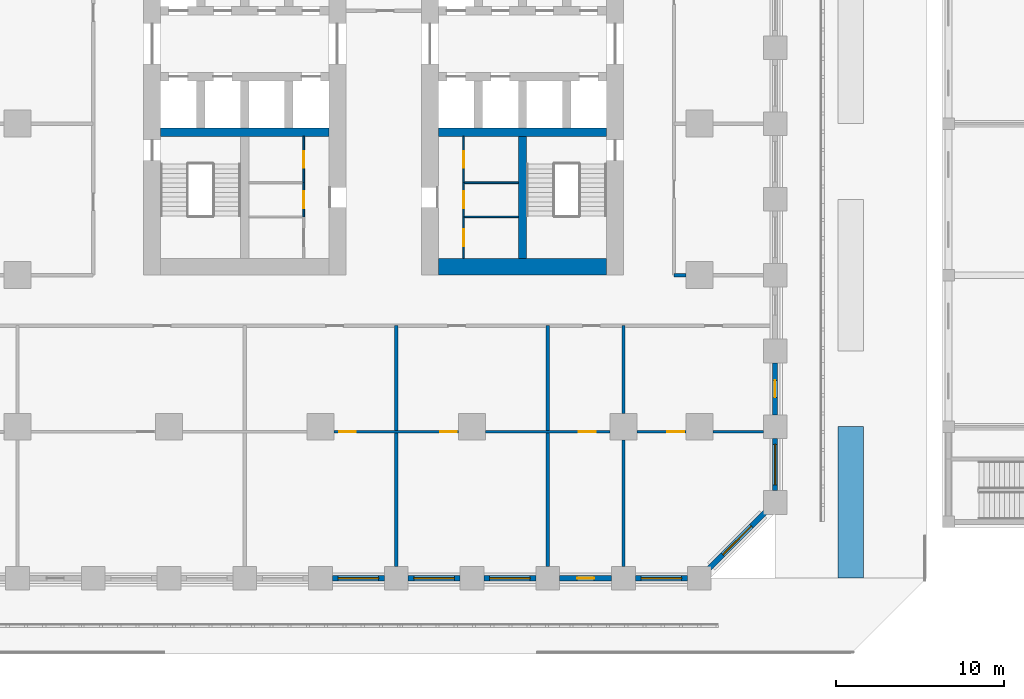
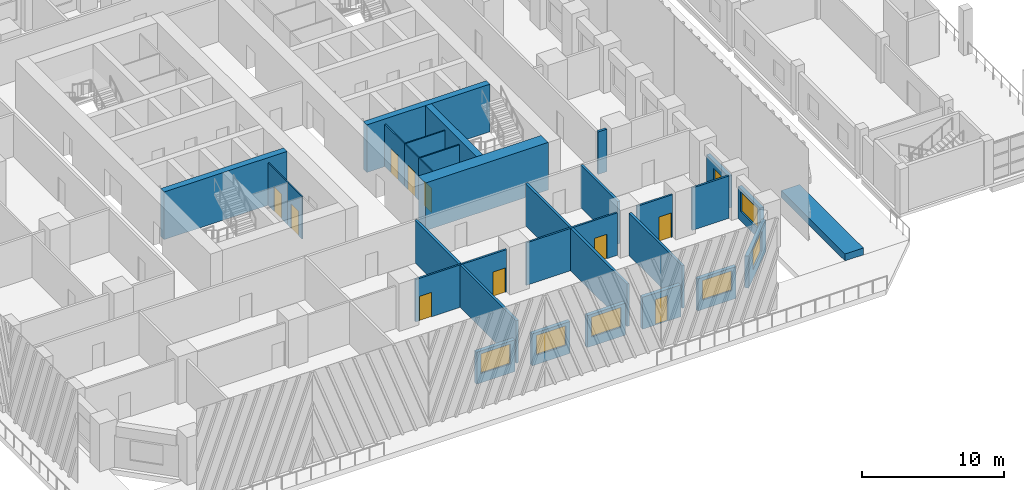
# One storey, part 18 of 36: 29 walls, 11 doors, 6 windows, 17 openings.
"""IFC4 building model written with IfcOpenShell, lengths in metres."""

from ifc_helpers import new_model, si_unit, direction, frame, frame_2d, origin, place, context, subcontext, project, spatial, rectangle, extrude, material, layer, layer_set, type_object, element, fill, save


model = new_model("IFC4")

# Units and contexts
model_context = context("Model", 3, precision=1e-05, world=origin(), true_north=direction((0.0, 1.0)))
body_context = subcontext(model_context, "Body", "Model", "MODEL_VIEW")
ifc_project = project(units=[si_unit("LENGTHUNIT", "METRE"), si_unit("AREAUNIT", "SQUARE_METRE"), si_unit("VOLUMEUNIT", "CUBIC_METRE"), si_unit("PLANEANGLEUNIT", "RADIAN"), si_unit("MASSUNIT", "GRAM", prefix="KILO")], contexts=[model_context])

# Site, building, storey
site_placement = place(None, origin())
site = spatial("IfcSite", under=ifc_project, at=site_placement, CompositionType="ELEMENT")
building_placement = place(site_placement, origin())
building = spatial("IfcBuilding", under=site, at=building_placement, Name="Corbel Stack Research Tower", CompositionType="ELEMENT")
storey_placement = place(building_placement, frame((0.0, 0.0, 7.199951171875)))
storey = spatial("IfcBuildingStorey", under=building, at=storey_placement, Name="L01", CompositionType="ELEMENT", Elevation=7.199951171875)

# Walls
ifc_material_1 = material(Name="Concrete C70/85", Category="concrete")
ifc_layer_1 = layer(ifc_material_1, 1.0)
ifc_layer_set_1 = layer_set([ifc_layer_1], Name="Concrete C70/85")
wall_type_1 = type_object("IfcWallType", Name="CW-1000-70", PredefinedType="SHEAR", material=ifc_layer_set_1)
wall_1_placement = place(storey_placement, frame((7.0, -8.5, 0.0), z_axis=(0.0, 0.0, 1.0), x_axis=(1.0, 0.0, 0.0)))
element("IfcWall", 1, at=wall_1_placement, inside=storey, type_object=wall_type_1, Name="East core wall, south end L01", PredefinedType="SHEAR", context=body_context, shape_type="SweptSolid", body=[
    extrude(rectangle(XDim=10.0, YDim=1.0, at=frame_2d((5.0, 0.0))), origin(), (0.0, 0.0, 1.0), 4.10009765625),
])
ifc_material_2 = material(Name="Concrete C70/85", Category="concrete")
ifc_layer_2 = layer(ifc_material_2, 0.5)
ifc_layer_set_2 = layer_set([ifc_layer_2], Name="Concrete C70/85")
wall_type_2 = type_object("IfcWallType", Name="CW-500-70", PredefinedType="SHEAR", material=ifc_layer_set_2)
for number, where, z_axis, x_axis, name in (
    (2, (-9.5, -0.5, 0.0), (0.0, 0.0, 1.0), (1.0, 0.0, 0.0), "West core wall, south row back L01"),
    (3, (7.0, -0.5, 0.0), (0.0, 0.0, 1.0), (1.0, 0.0, 0.0), "East core wall, south row back L01"),
):
    element("IfcWall", number, at=place(storey_placement, frame(where, z_axis=z_axis, x_axis=x_axis)), inside=storey, type_object=wall_type_2, Name=name, PredefinedType="SHEAR", context=body_context, shape_type="SweptSolid", body=[
        extrude(rectangle(XDim=10.0, YDim=0.5, at=frame_2d((5.0, 0.0))), origin(), (0.0, 0.0, 1.0), 4.10009765625),
    ])
wall_2_placement = place(storey_placement, frame((12.0, -8.0, 0.0), z_axis=(0.0, 0.0, 1.0), x_axis=(0.0, 1.0, 0.0)))
element("IfcWall", 4, at=wall_2_placement, inside=storey, type_object=wall_type_2, Name="East core wall, south stair and WC L01", PredefinedType="SHEAR", context=body_context, shape_type="SweptSolid", body=[
    extrude(rectangle(XDim=7.25, YDim=0.5, at=frame_2d((3.625, 0.0))), origin(), (0.0, 0.0, 1.0), 4.10009765625),
])

# Wall, opening, door
ifc_material_3 = material(Name="Gypsum board")
ifc_layer_3 = layer(ifc_material_3, 0.10009765625)
ifc_layer_set_3 = layer_set([ifc_layer_3], Name="Gypsum board")
wall_type_3 = type_object("IfcWallType", Name="Core partition 100", PredefinedType="PARTITIONING", material=ifc_layer_set_3)
wall_3_placement = place(storey_placement, frame((-1.0, -5.534912109375, 0.0), z_axis=(0.0, 0.0, 1.0), x_axis=(0.0, 1.0, 0.0)))
wall_3 = element("IfcWall", 5, at=wall_3_placement, inside=storey, type_object=wall_type_3, Name="Core partition W", PredefinedType="PARTITIONING", context=body_context, shape_type="SweptSolid", body=[
    extrude(rectangle(XDim=2.030029296875, YDim=0.10009765625, at=frame_2d((1.01513671875, 0.0))), origin(), (0.0, 0.0, 1.0), 3.650146484375),
])
opening_1_placement = place(wall_3_placement, frame((0.514892578125, 0.0, 0.0)))
opening_1 = element("IfcOpeningElement", 6, at=opening_1_placement, cuts=wall_3, Name="Opening CR-W12-W3-1000", PredefinedType="OPENING", context=body_context, shape_type="SweptSolid", body=[
    extrude(rectangle(XDim=1.0, YDim=2.10009765625, at=frame_2d((0.5, 1.050048828125))), frame((0.0, 0.06005859375, 0.0), z_axis=(0.0, -1.0, 0.0), x_axis=(1.0, 0.0, 0.0)), (0.0, 0.0, 1.0), 0.1201171875),
])
ifc_material_4 = material(Name="Painted timber door", Category="wood")
door_type_1 = type_object("IfcDoorType", Name="WC door 1000 x 2100 left hand", OperationType="SINGLE_SWING_LEFT", PredefinedType="DOOR", material=ifc_material_4)
door_1_placement = place(opening_1_placement, origin())
door_1 = element("IfcDoor", 7, at=door_1_placement, inside=storey, type_object=door_type_1, Name="Accessible WC door W core", OperationType="SINGLE_SWING_LEFT", OverallHeight=2.10009765625, OverallWidth=1.0, PredefinedType="DOOR", context=body_context, shape_type="SweptSolid", body=[
    extrude(rectangle(XDim=1.0, YDim=2.10009765625, at=frame_2d((0.5, 1.050048828125))), frame((0.0, 0.02490234375, 0.0), z_axis=(0.0, -1.0, 0.0), x_axis=(1.0, 0.0, 0.0)), (0.0, 0.0, 1.0), 0.050048828125),
])
fill(opening_1, door_1)

wall_4_placement = place(storey_placement, frame((-1.0, -3.5048828125, 0.0), z_axis=(0.0, 0.0, 1.0), x_axis=(0.0, 1.0, 0.0)))
wall_4 = element("IfcWall", 8, at=wall_4_placement, inside=storey, type_object=wall_type_3, Name="Core partition W", PredefinedType="PARTITIONING", context=body_context, shape_type="SweptSolid", body=[
    extrude(rectangle(XDim=2.7548828125, YDim=0.10009765625, at=frame_2d((1.37744140625, 0.0))), origin(), (0.0, 0.0, 1.0), 3.650146484375),
])
opening_2_placement = place(wall_4_placement, frame((0.87744140625, 0.0, 0.0)))
opening_2 = element("IfcOpeningElement", 9, at=opening_2_placement, cuts=wall_4, Name="Opening CR-W12-W4-1000", PredefinedType="OPENING", context=body_context, shape_type="SweptSolid", body=[
    extrude(rectangle(XDim=1.0, YDim=2.10009765625, at=frame_2d((0.5, 1.050048828125))), frame((0.0, 0.06005859375, 0.0), z_axis=(0.0, -1.0, 0.0), x_axis=(1.0, 0.0, 0.0)), (0.0, 0.0, 1.0), 0.1201171875),
])
ifc_material_5 = material(Name="Painted timber door", Category="wood")
door_type_2 = type_object("IfcDoorType", Name="WC door 1000 x 2100 right hand", OperationType="SINGLE_SWING_RIGHT", PredefinedType="DOOR", material=ifc_material_5)
door_2_placement = place(opening_2_placement, origin())
door_2 = element("IfcDoor", 10, at=door_2_placement, inside=storey, type_object=door_type_2, Name="Women's WC door W core", OperationType="SINGLE_SWING_RIGHT", OverallHeight=2.10009765625, OverallWidth=1.0, PredefinedType="DOOR", context=body_context, shape_type="SweptSolid", body=[
    extrude(rectangle(XDim=1.0, YDim=2.10009765625, at=frame_2d((0.5, 1.050048828125))), frame((0.0, 0.02490234375, 0.0), z_axis=(0.0, -1.0, 0.0), x_axis=(1.0, 0.0, 0.0)), (0.0, 0.0, 1.0), 0.050048828125),
])
fill(opening_2, door_2)

wall_5_placement = place(storey_placement, frame((8.5, -8.0, 0.0), z_axis=(0.0, 0.0, 1.0), x_axis=(0.0, 1.0, 0.0)))
wall_5 = element("IfcWall", 11, at=wall_5_placement, inside=storey, type_object=wall_type_3, Name="Core partition E", PredefinedType="PARTITIONING", context=body_context, shape_type="SweptSolid", body=[
    extrude(rectangle(XDim=2.465087890625, YDim=0.10009765625, at=frame_2d((1.232421875, 0.0))), origin(), (0.0, 0.0, 1.0), 3.650146484375),
])
opening_3_placement = place(wall_5_placement, frame((0.732421875, 0.0, 0.0)))
opening_3 = element("IfcOpeningElement", 12, at=opening_3_placement, cuts=wall_5, Name="Opening CR-E12-W2-1000", PredefinedType="OPENING", context=body_context, shape_type="SweptSolid", body=[
    extrude(rectangle(XDim=1.0, YDim=2.10009765625, at=frame_2d((0.5, 1.050048828125))), frame((0.0, 0.06005859375, 0.0), z_axis=(0.0, -1.0, 0.0), x_axis=(1.0, 0.0, 0.0)), (0.0, 0.0, 1.0), 0.1201171875),
])
door_3_placement = place(opening_3_placement, origin())
door_3 = element("IfcDoor", 13, at=door_3_placement, inside=storey, type_object=door_type_1, Name="Men's WC door E core", OperationType="SINGLE_SWING_LEFT", OverallHeight=2.10009765625, OverallWidth=1.0, PredefinedType="DOOR", context=body_context, shape_type="SweptSolid", body=[
    extrude(rectangle(XDim=1.0, YDim=2.10009765625, at=frame_2d((0.5, 1.050048828125))), frame((0.0, 0.02490234375, 0.0), z_axis=(0.0, -1.0, 0.0), x_axis=(1.0, 0.0, 0.0)), (0.0, 0.0, 1.0), 0.050048828125),
])
fill(opening_3, door_3)

wall_6_placement = place(storey_placement, frame((8.5, -5.534912109375, 0.0), z_axis=(0.0, 0.0, 1.0), x_axis=(0.0, 1.0, 0.0)))
wall_6 = element("IfcWall", 14, at=wall_6_placement, inside=storey, type_object=wall_type_3, Name="Core partition E", PredefinedType="PARTITIONING", context=body_context, shape_type="SweptSolid", body=[
    extrude(rectangle(XDim=2.030029296875, YDim=0.10009765625, at=frame_2d((1.01513671875, 0.0))), origin(), (0.0, 0.0, 1.0), 3.650146484375),
])
opening_4_placement = place(wall_6_placement, frame((0.514892578125, 0.0, 0.0)))
opening_4 = element("IfcOpeningElement", 15, at=opening_4_placement, cuts=wall_6, Name="Opening CR-E12-W3-1000", PredefinedType="OPENING", context=body_context, shape_type="SweptSolid", body=[
    extrude(rectangle(XDim=1.0, YDim=2.10009765625, at=frame_2d((0.5, 1.050048828125))), frame((0.0, 0.06005859375, 0.0), z_axis=(0.0, -1.0, 0.0), x_axis=(1.0, 0.0, 0.0)), (0.0, 0.0, 1.0), 0.1201171875),
])
door_4_placement = place(opening_4_placement, origin())
door_4 = element("IfcDoor", 16, at=door_4_placement, inside=storey, type_object=door_type_2, Name="Accessible WC door E core", OperationType="SINGLE_SWING_RIGHT", OverallHeight=2.10009765625, OverallWidth=1.0, PredefinedType="DOOR", context=body_context, shape_type="SweptSolid", body=[
    extrude(rectangle(XDim=1.0, YDim=2.10009765625, at=frame_2d((0.5, 1.050048828125))), frame((0.0, 0.02490234375, 0.0), z_axis=(0.0, -1.0, 0.0), x_axis=(1.0, 0.0, 0.0)), (0.0, 0.0, 1.0), 0.050048828125),
])
fill(opening_4, door_4)

wall_7_placement = place(storey_placement, frame((8.5, -3.5048828125, 0.0), z_axis=(0.0, 0.0, 1.0), x_axis=(0.0, 1.0, 0.0)))
wall_7 = element("IfcWall", 17, at=wall_7_placement, inside=storey, type_object=wall_type_3, Name="Core partition E", PredefinedType="PARTITIONING", context=body_context, shape_type="SweptSolid", body=[
    extrude(rectangle(XDim=2.7548828125, YDim=0.10009765625, at=frame_2d((1.37744140625, 0.0))), origin(), (0.0, 0.0, 1.0), 3.650146484375),
])
opening_5_placement = place(wall_7_placement, frame((0.87744140625, 0.0, 0.0)))
opening_5 = element("IfcOpeningElement", 18, at=opening_5_placement, cuts=wall_7, Name="Opening CR-E12-W4-1000", PredefinedType="OPENING", context=body_context, shape_type="SweptSolid", body=[
    extrude(rectangle(XDim=1.0, YDim=2.10009765625, at=frame_2d((0.5, 1.050048828125))), frame((0.0, 0.06005859375, 0.0), z_axis=(0.0, -1.0, 0.0), x_axis=(1.0, 0.0, 0.0)), (0.0, 0.0, 1.0), 0.1201171875),
])
door_5_placement = place(opening_5_placement, origin())
door_5 = element("IfcDoor", 19, at=door_5_placement, inside=storey, type_object=door_type_1, Name="Women's WC door E core", OperationType="SINGLE_SWING_LEFT", OverallHeight=2.10009765625, OverallWidth=1.0, PredefinedType="DOOR", context=body_context, shape_type="SweptSolid", body=[
    extrude(rectangle(XDim=1.0, YDim=2.10009765625, at=frame_2d((0.5, 1.050048828125))), frame((0.0, 0.02490234375, 0.0), z_axis=(0.0, -1.0, 0.0), x_axis=(1.0, 0.0, 0.0)), (0.0, 0.0, 1.0), 0.050048828125),
])
fill(opening_5, door_5)

# Walls
for number, where, z_axis, x_axis, name in (
    (20, (8.5, -5.534912109375, 0.0), (0.0, 0.0, 1.0), (1.0, 0.0, 0.0), "Core partition E"),
    (21, (8.5, -3.5048828125, 0.0), (0.0, 0.0, 1.0), (1.0, 0.0, 0.0), "Core partition E"),
):
    element("IfcWall", number, at=place(storey_placement, frame(where, z_axis=z_axis, x_axis=x_axis)), inside=storey, type_object=wall_type_3, Name=name, PredefinedType="PARTITIONING", context=body_context, shape_type="SweptSolid", body=[
        extrude(rectangle(XDim=3.25, YDim=0.10009765625, at=frame_2d((1.625, 0.0))), origin(), (0.0, 0.0, 1.0), 3.650146484375),
    ])
ifc_material_6 = material(Name="Fire-rated gypsum board partition on steel studs", Category="steel")
ifc_layer_4 = layer(ifc_material_6, 0.199951171875)
ifc_layer_set_4 = layer_set([ifc_layer_4], Name="Fire-rated gypsum board partition on steel studs")
wall_type_4 = type_object("IfcWallType", Name="Fire-rated partition 200 EI 60", PredefinedType="PARTITIONING", material=ifc_layer_set_4)
for number, where, z_axis, x_axis, name in (
    (22, (4.5, -26.300048828125, 0.0), (0.0, 0.0, 1.0), (0.0, 1.0, 0.0), "Partition L01-008"),
    (23, (13.5, -26.300048828125, 0.0), (0.0, 0.0, 1.0), (0.0, 1.0, 0.0), "Partition L01-010"),
):
    element("IfcWall", number, at=place(storey_placement, frame(where, z_axis=z_axis, x_axis=x_axis)), inside=storey, type_object=wall_type_4, Name=name, PredefinedType="PARTITIONING", context=body_context, shape_type="SweptSolid", body=[
        extrude(rectangle(XDim=14.300048828125, YDim=0.199951171875, at=frame_2d((7.14990234375, 0.0))), origin(), (0.0, 0.0, 1.0), 3.650146484375),
    ])
wall_8_placement = place(storey_placement, frame((18.0, -26.300048828125, 0.0), z_axis=(0.0, 0.0, 1.0), x_axis=(0.0, 1.0, 0.0)))
element("IfcWall", 24, at=wall_8_placement, inside=storey, type_object=wall_type_4, Name="Partition L01-012", PredefinedType="PARTITIONING", context=body_context, shape_type="SweptSolid", body=[
    extrude(rectangle(XDim=7.5, YDim=0.199951171875, at=frame_2d((3.75, 0.0))), origin(), (0.0, 0.0, 1.0), 3.650146484375),
])
wall_9_placement = place(storey_placement, frame((18.0, -17.199951171875, 0.0), z_axis=(0.0, 0.0, 1.0), x_axis=(0.0, 1.0, 0.0)))
element("IfcWall", 25, at=wall_9_placement, inside=storey, type_object=wall_type_4, Name="Partition L01-013", PredefinedType="PARTITIONING", context=body_context, shape_type="SweptSolid", body=[
    extrude(rectangle(XDim=5.199951171875, YDim=0.199951171875, at=frame_2d((2.60009765625, 0.0))), origin(), (0.0, 0.0, 1.0), 3.650146484375),
])
wall_10_placement = place(storey_placement, frame((21.0, -9.0, 0.0), z_axis=(0.0, 0.0, 1.0), x_axis=(1.0, 0.0, 0.0)))
element("IfcWall", 26, at=wall_10_placement, inside=storey, type_object=wall_type_4, Name="Partition L01-026", PredefinedType="PARTITIONING", context=body_context, shape_type="SweptSolid", body=[
    extrude(rectangle(XDim=0.699951171875, YDim=0.199951171875, at=frame_2d((0.35009765625, 0.0))), origin(), (0.0, 0.0, 1.0), 3.650146484375),
])

# Wall, openings, doors
ifc_material_7 = material(Name="Gypsum board partition on steel studs", Category="steel")
ifc_layer_5 = layer(ifc_material_7, 0.14990234375)
ifc_layer_set_5 = layer_set([ifc_layer_5], Name="Gypsum board partition on steel studs")
wall_type_5 = type_object("IfcWallType", Name="Partition 150", PredefinedType="PARTITIONING", material=ifc_layer_set_5)
wall_11_placement = place(storey_placement, frame((8.199951171875, -18.300048828125, 0.0), z_axis=(0.0, 0.0, 1.0), x_axis=(-1.0, 0.0, 0.0)))
wall_11 = element("IfcWall", 27, at=wall_11_placement, inside=storey, type_object=wall_type_5, Name="Partition L01-019", PredefinedType="PARTITIONING", context=body_context, shape_type="SweptSolid", body=[
    extrude(rectangle(XDim=7.39990234375, YDim=0.14990234375, at=frame_2d((3.699951171875, 0.0))), origin(), (0.0, 0.0, 1.0), 3.650146484375),
])
opening_6_placement = place(wall_11_placement, frame((6.10009765625, 0.0, 0.0)))
opening_6 = element("IfcOpeningElement", 28, at=opening_6_placement, cuts=wall_11, Name="Opening B1V0H-006", PredefinedType="OPENING", context=body_context, shape_type="SweptSolid", body=[
    extrude(rectangle(XDim=1.0, YDim=2.10009765625, at=frame_2d((0.5, 1.050048828125))), frame((0.0, 0.0849609375, 0.0), z_axis=(0.0, -1.0, 0.0), x_axis=(1.0, 0.0, 0.0)), (0.0, 0.0, 1.0), 0.169921875),
])
opening_7_placement = place(wall_11_placement, frame((0.10009765625, 0.0, 0.0)))
opening_7 = element("IfcOpeningElement", 29, at=opening_7_placement, cuts=wall_11, Name="Opening B1V0H-007", PredefinedType="OPENING", context=body_context, shape_type="SweptSolid", body=[
    extrude(rectangle(XDim=1.0, YDim=2.10009765625, at=frame_2d((0.5, 1.050048828125))), frame((0.0, 0.0849609375, 0.0), z_axis=(0.0, -1.0, 0.0), x_axis=(1.0, 0.0, 0.0)), (0.0, 0.0, 1.0), 0.169921875),
])
ifc_material_8 = material(Name="Painted timber door", Category="wood")
door_type_3 = type_object("IfcDoorType", Name="Single door 1000 x 2100", OperationType="NOTDEFINED", PredefinedType="DOOR", material=ifc_material_8)
door_6_placement = place(opening_6_placement, origin())
door_6 = element("IfcDoor", 30, at=door_6_placement, inside=storey, type_object=door_type_3, Name="Door B1V0H-006", OperationType="SINGLE_SWING_RIGHT", OverallHeight=2.10009765625, OverallWidth=1.0, PredefinedType="DOOR", context=body_context, shape_type="SweptSolid", body=[
    extrude(rectangle(XDim=1.0, YDim=2.10009765625, at=frame_2d((0.5, 1.050048828125))), frame((0.0, 0.02490234375, 0.0), z_axis=(0.0, -1.0, 0.0), x_axis=(1.0, 0.0, 0.0)), (0.0, 0.0, 1.0), 0.050048828125),
])
fill(opening_6, door_6)
door_7_placement = place(opening_7_placement, origin())
door_7 = element("IfcDoor", 31, at=door_7_placement, inside=storey, type_object=door_type_3, Name="Door B1V0H-007", OperationType="SINGLE_SWING_LEFT", OverallHeight=2.10009765625, OverallWidth=1.0, PredefinedType="DOOR", context=body_context, shape_type="SweptSolid", body=[
    extrude(rectangle(XDim=1.0, YDim=2.10009765625, at=frame_2d((0.5, 1.050048828125))), frame((0.0, 0.02490234375, 0.0), z_axis=(0.0, -1.0, 0.0), x_axis=(1.0, 0.0, 0.0)), (0.0, 0.0, 1.0), 0.050048828125),
])
fill(opening_7, door_7)

# Wall, opening, door
wall_12_placement = place(storey_placement, frame((17.199951171875, -18.300048828125, 0.0), z_axis=(0.0, 0.0, 1.0), x_axis=(-1.0, 0.0, 0.0)))
wall_12 = element("IfcWall", 32, at=wall_12_placement, inside=storey, type_object=wall_type_5, Name="Partition L01-020", PredefinedType="PARTITIONING", context=body_context, shape_type="SweptSolid", body=[
    extrude(rectangle(XDim=7.39990234375, YDim=0.14990234375, at=frame_2d((3.699951171875, 0.0))), origin(), (0.0, 0.0, 1.0), 3.650146484375),
])
opening_8_placement = place(wall_12_placement, frame((0.85009765625, 0.0, 0.0)))
opening_8 = element("IfcOpeningElement", 33, at=opening_8_placement, cuts=wall_12, Name="Opening B1V0H-008", PredefinedType="OPENING", context=body_context, shape_type="SweptSolid", body=[
    extrude(rectangle(XDim=1.0, YDim=2.10009765625, at=frame_2d((0.5, 1.050048828125))), frame((0.0, 0.0849609375, 0.0), z_axis=(0.0, -1.0, 0.0), x_axis=(1.0, 0.0, 0.0)), (0.0, 0.0, 1.0), 0.169921875),
])
door_8_placement = place(opening_8_placement, origin())
door_8 = element("IfcDoor", 34, at=door_8_placement, inside=storey, type_object=door_type_3, Name="Door B1V0H-008", OperationType="SINGLE_SWING_LEFT", OverallHeight=2.10009765625, OverallWidth=1.0, PredefinedType="DOOR", context=body_context, shape_type="SweptSolid", body=[
    extrude(rectangle(XDim=1.0, YDim=2.10009765625, at=frame_2d((0.5, 1.050048828125))), frame((0.0, 0.02490234375, 0.0), z_axis=(0.0, -1.0, 0.0), x_axis=(1.0, 0.0, 0.0)), (0.0, 0.0, 1.0), 0.050048828125),
])
fill(opening_8, door_8)

wall_13_placement = place(storey_placement, frame((21.699951171875, -18.300048828125, 0.0), z_axis=(0.0, 0.0, 1.0), x_axis=(-1.0, 0.0, 0.0)))
wall_13 = element("IfcWall", 35, at=wall_13_placement, inside=storey, type_object=wall_type_5, Name="Partition L01-021", PredefinedType="PARTITIONING", context=body_context, shape_type="SweptSolid", body=[
    extrude(rectangle(XDim=2.89990234375, YDim=0.14990234375, at=frame_2d((1.449951171875, 0.0))), origin(), (0.0, 0.0, 1.0), 3.650146484375),
])
opening_9_placement = place(wall_13_placement, frame((0.10009765625, 0.0, 0.0)))
opening_9 = element("IfcOpeningElement", 36, at=opening_9_placement, cuts=wall_13, Name="Opening B1V0H-009", PredefinedType="OPENING", context=body_context, shape_type="SweptSolid", body=[
    extrude(rectangle(XDim=1.0, YDim=2.10009765625, at=frame_2d((0.5, 1.050048828125))), frame((0.0, 0.0849609375, 0.0), z_axis=(0.0, -1.0, 0.0), x_axis=(1.0, 0.0, 0.0)), (0.0, 0.0, 1.0), 0.169921875),
])
door_9_placement = place(opening_9_placement, origin())
door_9 = element("IfcDoor", 37, at=door_9_placement, inside=storey, type_object=door_type_3, Name="Door B1V0H-009", OperationType="SINGLE_SWING_LEFT", OverallHeight=2.10009765625, OverallWidth=1.0, PredefinedType="DOOR", context=body_context, shape_type="SweptSolid", body=[
    extrude(rectangle(XDim=1.0, YDim=2.10009765625, at=frame_2d((0.5, 1.050048828125))), frame((0.0, 0.02490234375, 0.0), z_axis=(0.0, -1.0, 0.0), x_axis=(1.0, 0.0, 0.0)), (0.0, 0.0, 1.0), 0.050048828125),
])
fill(opening_9, door_9)

# Walls
wall_14_placement = place(storey_placement, frame((23.300048828125, -18.300048828125, 0.0), z_axis=(0.0, 0.0, 1.0), x_axis=(1.0, 0.0, 0.0)))
element("IfcWall", 38, at=wall_14_placement, inside=storey, type_object=wall_type_5, Name="Partition L01-022", PredefinedType="PARTITIONING", context=body_context, shape_type="SweptSolid", body=[
    extrude(rectangle(XDim=3.0, YDim=0.14990234375, at=frame_2d((1.5, 0.0))), origin(), (0.0, 0.0, 1.0), 3.650146484375),
])
ifc_material_9 = material(Name="Concrete C30/37", Category="concrete")
ifc_layer_6 = layer(ifc_material_9, 1.5)
ifc_layer_set_6 = layer_set([ifc_layer_6], Name="Concrete C30/37")
wall_type_6 = type_object("IfcWallType", Name="SW2 planter bed 1500", PredefinedType="SOLIDWALL", material=ifc_layer_set_6)
wall_15_placement = place(storey_placement, frame((31.5, -27.0, 0.0), z_axis=(0.0, 0.0, 1.0), x_axis=(0.0, 1.0, 0.0)))
element("IfcWall", 39, at=wall_15_placement, inside=storey, type_object=wall_type_6, Name="PLANTER 8", PredefinedType="SOLIDWALL", context=body_context, shape_type="SweptSolid", body=[
    extrude(rectangle(XDim=9.0, YDim=1.5, at=frame_2d((4.5, 0.0))), origin(), (0.0, 0.0, 1.0), 0.60009765625),
])

# Wall, opening, window
ifc_material_10 = material(Name="Concrete C45/55", Category="concrete")
ifc_layer_7 = layer(ifc_material_10, 0.300048828125)
ifc_layer_set_7 = layer_set([ifc_layer_7], Name="Concrete C45/55")
wall_type_7 = type_object("IfcWallType", Name="Terracotta-faced concrete wall 300", PredefinedType="SOLIDWALL", material=ifc_layer_set_7)
wall_16_placement = place(storey_placement, frame((3.800048828125, -27.0, 0.0), z_axis=(0.0, 0.0, 1.0), x_axis=(-1.0, 0.0, 0.0)))
wall_16 = element("IfcWall", 40, at=wall_16_placement, inside=storey, type_object=wall_type_7, Name="Facade wall L01 S06", PredefinedType="SOLIDWALL", context=body_context, shape_type="SweptSolid", body=[
    extrude(rectangle(XDim=3.10009765625, YDim=0.300048828125, at=frame_2d((1.550048828125, 0.0))), origin(), (0.0, 0.0, 1.0), 2.75),
])
opening_10_placement = place(wall_16_placement, frame((0.35009765625, 0.0, 0.800048828125)))
opening_10 = element("IfcOpeningElement", 41, at=opening_10_placement, cuts=wall_16, Name="Opening W1", PredefinedType="OPENING", context=body_context, shape_type="SweptSolid", body=[
    extrude(rectangle(XDim=2.39990234375, YDim=1.699951171875, at=frame_2d((1.199951171875, 0.85009765625))), frame((0.0, 0.159912109375, 0.0), z_axis=(0.0, -1.0, 0.0), x_axis=(1.0, 0.0, 0.0)), (0.0, 0.0, 1.0), 0.320068359375),
])
ifc_material_11 = material(Name="Aluminium frame, clear double glazing", Category="aluminium")
window_type = type_object("IfcWindowType", Name="Window W1 2400 x 1700", PartitioningType="SINGLE_PANEL", PredefinedType="WINDOW", material=ifc_material_11)
window_1_placement = place(opening_10_placement, origin())
window_1 = element("IfcWindow", 42, at=window_1_placement, inside=storey, type_object=window_type, Name="Window W1 L01 S06", OverallHeight=1.699951171875, OverallWidth=2.39990234375, PartitioningType="SINGLE_PANEL", PredefinedType="WINDOW", context=body_context, shape_type="SweptSolid", body=[
    extrude(rectangle(XDim=2.39990234375, YDim=1.699951171875, at=frame_2d((1.199951171875, 0.85009765625))), frame((0.0, 0.030029296875, 0.0), z_axis=(0.0, -1.0, 0.0), x_axis=(1.0, 0.0, 0.0)), (0.0, 0.0, 1.0), 0.06005859375),
])
fill(opening_10, window_1)

wall_17_placement = place(storey_placement, frame((8.300048828125, -27.0, 0.0), z_axis=(0.0, 0.0, 1.0), x_axis=(-1.0, 0.0, 0.0)))
wall_17 = element("IfcWall", 43, at=wall_17_placement, inside=storey, type_object=wall_type_7, Name="Facade wall L01 S07", PredefinedType="SOLIDWALL", context=body_context, shape_type="SweptSolid", body=[
    extrude(rectangle(XDim=3.10009765625, YDim=0.300048828125, at=frame_2d((1.550048828125, 0.0))), origin(), (0.0, 0.0, 1.0), 2.75),
])
opening_11_placement = place(wall_17_placement, frame((0.35009765625, 0.0, 0.800048828125)))
opening_11 = element("IfcOpeningElement", 44, at=opening_11_placement, cuts=wall_17, Name="Opening W1", PredefinedType="OPENING", context=body_context, shape_type="SweptSolid", body=[
    extrude(rectangle(XDim=2.39990234375, YDim=1.699951171875, at=frame_2d((1.199951171875, 0.85009765625))), frame((0.0, 0.159912109375, 0.0), z_axis=(0.0, -1.0, 0.0), x_axis=(1.0, 0.0, 0.0)), (0.0, 0.0, 1.0), 0.320068359375),
])
window_2_placement = place(opening_11_placement, origin())
window_2 = element("IfcWindow", 45, at=window_2_placement, inside=storey, type_object=window_type, Name="Window W1 L01 S07", OverallHeight=1.699951171875, OverallWidth=2.39990234375, PartitioningType="SINGLE_PANEL", PredefinedType="WINDOW", context=body_context, shape_type="SweptSolid", body=[
    extrude(rectangle(XDim=2.39990234375, YDim=1.699951171875, at=frame_2d((1.199951171875, 0.85009765625))), frame((0.0, 0.030029296875, 0.0), z_axis=(0.0, -1.0, 0.0), x_axis=(1.0, 0.0, 0.0)), (0.0, 0.0, 1.0), 0.06005859375),
])
fill(opening_11, window_2)

wall_18_placement = place(storey_placement, frame((12.800048828125, -27.0, 0.0), z_axis=(0.0, 0.0, 1.0), x_axis=(-1.0, 0.0, 0.0)))
wall_18 = element("IfcWall", 46, at=wall_18_placement, inside=storey, type_object=wall_type_7, Name="Facade wall L01 S08", PredefinedType="SOLIDWALL", context=body_context, shape_type="SweptSolid", body=[
    extrude(rectangle(XDim=3.10009765625, YDim=0.300048828125, at=frame_2d((1.550048828125, 0.0))), origin(), (0.0, 0.0, 1.0), 2.75),
])
opening_12_placement = place(wall_18_placement, frame((0.35009765625, 0.0, 0.800048828125)))
opening_12 = element("IfcOpeningElement", 47, at=opening_12_placement, cuts=wall_18, Name="Opening W1", PredefinedType="OPENING", context=body_context, shape_type="SweptSolid", body=[
    extrude(rectangle(XDim=2.39990234375, YDim=1.699951171875, at=frame_2d((1.199951171875, 0.85009765625))), frame((0.0, 0.159912109375, 0.0), z_axis=(0.0, -1.0, 0.0), x_axis=(1.0, 0.0, 0.0)), (0.0, 0.0, 1.0), 0.320068359375),
])
window_3_placement = place(opening_12_placement, origin())
window_3 = element("IfcWindow", 48, at=window_3_placement, inside=storey, type_object=window_type, Name="Window W1 L01 S08", OverallHeight=1.699951171875, OverallWidth=2.39990234375, PartitioningType="SINGLE_PANEL", PredefinedType="WINDOW", context=body_context, shape_type="SweptSolid", body=[
    extrude(rectangle(XDim=2.39990234375, YDim=1.699951171875, at=frame_2d((1.199951171875, 0.85009765625))), frame((0.0, 0.030029296875, 0.0), z_axis=(0.0, -1.0, 0.0), x_axis=(1.0, 0.0, 0.0)), (0.0, 0.0, 1.0), 0.06005859375),
])
fill(opening_12, window_3)

# Wall, opening, door
wall_19_placement = place(storey_placement, frame((17.300048828125, -27.0, 0.0), z_axis=(0.0, 0.0, 1.0), x_axis=(-1.0, 0.0, 0.0)))
wall_19 = element("IfcWall", 49, at=wall_19_placement, inside=storey, type_object=wall_type_7, Name="Facade wall L01 S09", PredefinedType="SOLIDWALL", context=body_context, shape_type="SweptSolid", body=[
    extrude(rectangle(XDim=3.10009765625, YDim=0.300048828125, at=frame_2d((1.550048828125, 0.0))), origin(), (0.0, 0.0, 1.0), 2.75),
])
opening_13_placement = place(wall_19_placement, frame((1.050048828125, 0.0, 0.0)))
opening_13 = element("IfcOpeningElement", 50, at=opening_13_placement, cuts=wall_19, Name="Opening L01-B02", PredefinedType="OPENING", context=body_context, shape_type="SweptSolid", body=[
    extrude(rectangle(XDim=1.0, YDim=2.199951171875, at=frame_2d((0.5, 1.10009765625))), frame((0.0, 0.159912109375, 0.0), z_axis=(0.0, -1.0, 0.0), x_axis=(1.0, 0.0, 0.0)), (0.0, 0.0, 1.0), 0.320068359375),
])
ifc_material_12 = material(Name="Aluminium frame, clear double glazing", Category="aluminium")
door_type_4 = type_object("IfcDoorType", Name="Balcony door BD1 1000 x 2200", OperationType="NOTDEFINED", PredefinedType="DOOR", material=ifc_material_12)
door_10_placement = place(opening_13_placement, origin())
door_10 = element("IfcDoor", 51, at=door_10_placement, inside=storey, type_object=door_type_4, Name="Balcony door L01-B02", OperationType="SINGLE_SWING_RIGHT", OverallHeight=2.199951171875, OverallWidth=1.0, PredefinedType="DOOR", context=body_context, shape_type="SweptSolid", body=[
    extrude(rectangle(XDim=1.0, YDim=2.199951171875, at=frame_2d((0.5, 1.10009765625))), frame((0.0, 0.02490234375, 0.0), z_axis=(0.0, -1.0, 0.0), x_axis=(1.0, 0.0, 0.0)), (0.0, 0.0, 1.0), 0.050048828125),
])
fill(opening_13, door_10)

# Wall, opening, window
wall_20_placement = place(storey_placement, frame((21.800048828125, -27.0, 0.0), z_axis=(0.0, 0.0, 1.0), x_axis=(-1.0, 0.0, 0.0)))
wall_20 = element("IfcWall", 52, at=wall_20_placement, inside=storey, type_object=wall_type_7, Name="Facade wall L01 S10", PredefinedType="SOLIDWALL", context=body_context, shape_type="SweptSolid", body=[
    extrude(rectangle(XDim=3.10009765625, YDim=0.300048828125, at=frame_2d((1.550048828125, 0.0))), origin(), (0.0, 0.0, 1.0), 2.75),
])
opening_14_placement = place(wall_20_placement, frame((0.35009765625, 0.0, 0.800048828125)))
opening_14 = element("IfcOpeningElement", 53, at=opening_14_placement, cuts=wall_20, Name="Opening W1", PredefinedType="OPENING", context=body_context, shape_type="SweptSolid", body=[
    extrude(rectangle(XDim=2.39990234375, YDim=1.699951171875, at=frame_2d((1.199951171875, 0.85009765625))), frame((0.0, 0.159912109375, 0.0), z_axis=(0.0, -1.0, 0.0), x_axis=(1.0, 0.0, 0.0)), (0.0, 0.0, 1.0), 0.320068359375),
])
window_4_placement = place(opening_14_placement, origin())
window_4 = element("IfcWindow", 54, at=window_4_placement, inside=storey, type_object=window_type, Name="Window W1 L01 S10", OverallHeight=1.699951171875, OverallWidth=2.39990234375, PartitioningType="SINGLE_PANEL", PredefinedType="WINDOW", context=body_context, shape_type="SweptSolid", body=[
    extrude(rectangle(XDim=2.39990234375, YDim=1.699951171875, at=frame_2d((1.199951171875, 0.85009765625))), frame((0.0, 0.030029296875, 0.0), z_axis=(0.0, -1.0, 0.0), x_axis=(1.0, 0.0, 0.0)), (0.0, 0.0, 1.0), 0.06005859375),
])
fill(opening_14, window_4)

wall_21_placement = place(storey_placement, frame((26.406005859375, -23.093994140625, 0.0), z_axis=(0.0, 0.0, 1.0), x_axis=(-0.707106781187, -0.707106781187, 0.0)))
wall_21 = element("IfcWall", 55, at=wall_21_placement, inside=storey, type_object=wall_type_7, Name="Facade wall L01 SE01", PredefinedType="SOLIDWALL", context=body_context, shape_type="SweptSolid", body=[
    extrude(rectangle(XDim=4.683837890625, YDim=0.300048828125, at=frame_2d((2.341796875, 0.0))), origin(), (0.0, 0.0, 1.0), 2.75),
])
opening_15_placement = place(wall_21_placement, frame((1.14208984375, 0.0, 0.800048828125)))
opening_15 = element("IfcOpeningElement", 56, at=opening_15_placement, cuts=wall_21, Name="Opening W1", PredefinedType="OPENING", context=body_context, shape_type="SweptSolid", body=[
    extrude(rectangle(XDim=2.39990234375, YDim=1.699951171875, at=frame_2d((1.199951171875, 0.85009765625))), frame((0.0, 0.159912109375, 0.0), z_axis=(0.0, -1.0, 0.0), x_axis=(1.0, 0.0, 0.0)), (0.0, 0.0, 1.0), 0.320068359375),
])
window_5_placement = place(opening_15_placement, origin())
window_5 = element("IfcWindow", 57, at=window_5_placement, inside=storey, type_object=window_type, Name="Window W1 L01 SE01", OverallHeight=1.699951171875, OverallWidth=2.39990234375, PartitioningType="SINGLE_PANEL", PredefinedType="WINDOW", context=body_context, shape_type="SweptSolid", body=[
    extrude(rectangle(XDim=2.39990234375, YDim=1.699951171875, at=frame_2d((1.199951171875, 0.85009765625))), frame((0.0, 0.030029296875, 0.0), z_axis=(0.0, -1.0, 0.0), x_axis=(1.0, 0.0, 0.0)), (0.0, 0.0, 1.0), 0.06005859375),
])
fill(opening_15, window_5)

wall_22_placement = place(storey_placement, frame((27.0, -18.699951171875, 0.0), z_axis=(0.0, 0.0, 1.0), x_axis=(0.0, -1.0, 0.0)))
wall_22 = element("IfcWall", 58, at=wall_22_placement, inside=storey, type_object=wall_type_7, Name="Facade wall L01 E01", PredefinedType="SOLIDWALL", context=body_context, shape_type="SweptSolid", body=[
    extrude(rectangle(XDim=3.10009765625, YDim=0.300048828125, at=frame_2d((1.550048828125, 0.0))), origin(), (0.0, 0.0, 1.0), 2.75),
])
opening_16_placement = place(wall_22_placement, frame((0.35009765625, 0.0, 0.800048828125)))
opening_16 = element("IfcOpeningElement", 59, at=opening_16_placement, cuts=wall_22, Name="Opening W1", PredefinedType="OPENING", context=body_context, shape_type="SweptSolid", body=[
    extrude(rectangle(XDim=2.39990234375, YDim=1.699951171875, at=frame_2d((1.199951171875, 0.85009765625))), frame((0.0, 0.159912109375, 0.0), z_axis=(0.0, -1.0, 0.0), x_axis=(1.0, 0.0, 0.0)), (0.0, 0.0, 1.0), 0.320068359375),
])
window_6_placement = place(opening_16_placement, origin())
window_6 = element("IfcWindow", 60, at=window_6_placement, inside=storey, type_object=window_type, Name="Window W1 L01 E01", OverallHeight=1.699951171875, OverallWidth=2.39990234375, PartitioningType="SINGLE_PANEL", PredefinedType="WINDOW", context=body_context, shape_type="SweptSolid", body=[
    extrude(rectangle(XDim=2.39990234375, YDim=1.699951171875, at=frame_2d((1.199951171875, 0.85009765625))), frame((0.0, 0.030029296875, 0.0), z_axis=(0.0, -1.0, 0.0), x_axis=(1.0, 0.0, 0.0)), (0.0, 0.0, 1.0), 0.06005859375),
])
fill(opening_16, window_6)

# Wall, opening, door
wall_23_placement = place(storey_placement, frame((27.0, -14.199951171875, 0.0), z_axis=(0.0, 0.0, 1.0), x_axis=(0.0, -1.0, 0.0)))
wall_23 = element("IfcWall", 61, at=wall_23_placement, inside=storey, type_object=wall_type_7, Name="Facade wall L01 E02", PredefinedType="SOLIDWALL", context=body_context, shape_type="SweptSolid", body=[
    extrude(rectangle(XDim=3.10009765625, YDim=0.300048828125, at=frame_2d((1.550048828125, 0.0))), origin(), (0.0, 0.0, 1.0), 2.75),
])
opening_17_placement = place(wall_23_placement, frame((1.050048828125, 0.0, 0.0)))
opening_17 = element("IfcOpeningElement", 62, at=opening_17_placement, cuts=wall_23, Name="Opening L01-B03", PredefinedType="OPENING", context=body_context, shape_type="SweptSolid", body=[
    extrude(rectangle(XDim=1.0, YDim=2.199951171875, at=frame_2d((0.5, 1.10009765625))), frame((0.0, 0.159912109375, 0.0), z_axis=(0.0, -1.0, 0.0), x_axis=(1.0, 0.0, 0.0)), (0.0, 0.0, 1.0), 0.320068359375),
])
door_11_placement = place(opening_17_placement, origin())
door_11 = element("IfcDoor", 63, at=door_11_placement, inside=storey, type_object=door_type_4, Name="Balcony door L01-B03", OperationType="SINGLE_SWING_LEFT", OverallHeight=2.199951171875, OverallWidth=1.0, PredefinedType="DOOR", context=body_context, shape_type="SweptSolid", body=[
    extrude(rectangle(XDim=1.0, YDim=2.199951171875, at=frame_2d((0.5, 1.10009765625))), frame((0.0, 0.02490234375, 0.0), z_axis=(0.0, -1.0, 0.0), x_axis=(1.0, 0.0, 0.0)), (0.0, 0.0, 1.0), 0.050048828125),
])
fill(opening_17, door_11)

save(model, "model.ifc")
